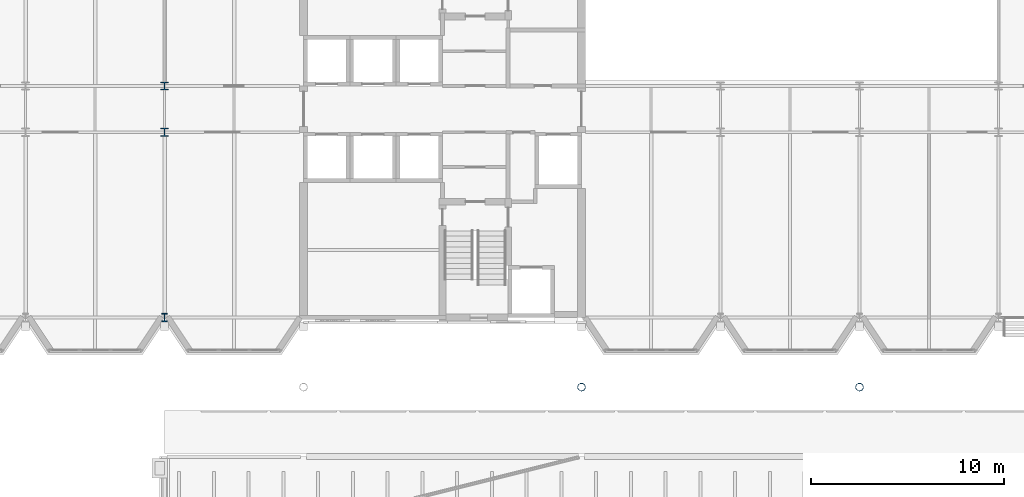
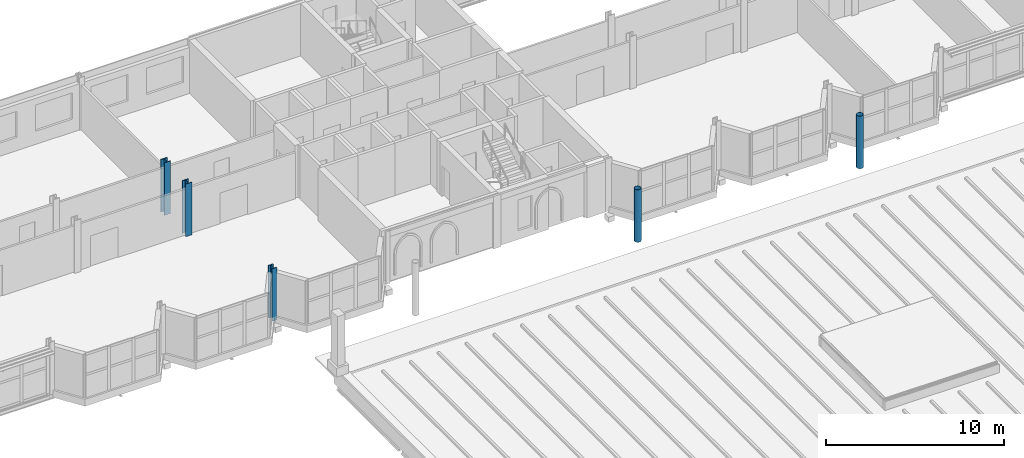
# One storey, part 7 of 120: 5 columns.
"""IFC4 building model written with IfcOpenShell, lengths in metres."""

from ifc_helpers import new_model, si_unit, direction, frame, origin, origin_2d, place, context, subcontext, project, spatial, hollow_circle, i_section, extrude, material, material_profile, profile_set, type_object, element, save


model = new_model("IFC4")

# Units and contexts
model_context = context("Model", 3, precision=1e-05, world=origin(), true_north=direction((0.0, 1.0)))
body_context = subcontext(model_context, "Body", "Model", "MODEL_VIEW")
ifc_project = project(units=[si_unit("LENGTHUNIT", "METRE"), si_unit("AREAUNIT", "SQUARE_METRE"), si_unit("VOLUMEUNIT", "CUBIC_METRE"), si_unit("PLANEANGLEUNIT", "RADIAN"), si_unit("MASSUNIT", "GRAM", prefix="KILO")], contexts=[model_context])

# Site, building, storey
site_placement = place(None, origin())
site = spatial("IfcSite", under=ifc_project, at=site_placement, CompositionType="ELEMENT")
building_placement = place(site_placement, origin())
building = spatial("IfcBuilding", under=site, at=building_placement, Name="Kupolbacken Congress Centre", CompositionType="ELEMENT")
storey_placement = place(building_placement, frame((0.0, 0.0, 21.60009765625)))
storey = spatial("IfcBuildingStorey", under=building, at=storey_placement, Name="L06", CompositionType="ELEMENT", Elevation=21.60009765625)

# Columns
ifc_material_1 = material(Name="Steel S355", Category="steel")
ifc_material_profile_1 = material_profile(ifc_material_1, i_section(OverallWidth=0.408935546875, OverallDepth=0.425048828125, WebThickness=0.03271484375, FlangeThickness=0.052490234375, FilletRadius=0.014892578125, at=origin_2d()), Name="HD 400 x 421")
ifc_profile_set_1 = profile_set([ifc_material_profile_1], Name="Steel S355")
column_type_1 = type_object("IfcColumnType", Name="C01 column HD 400 x 421", PredefinedType="COLUMN", material=ifc_profile_set_1)
for number, where, z_axis, x_axis, name in (
    (1, (86.39990234375, 132.0, 0.0), (0.0, 0.0, 1.0), (1.0, 0.0, 0.0), "S/col/C-T-13U+2400/L06"),
    (2, (86.39990234375, 134.39990234375, 0.0), (0.0, 0.0, 1.0), (1.0, 0.0, 0.0), "S/col/C-T-13U+4800/L06"),
):
    element("IfcColumn", number, at=place(storey_placement, frame(where, z_axis=z_axis, x_axis=x_axis)), inside=storey, type_object=column_type_1, Name=name, PredefinedType="COLUMN", context=body_context, shape_type="SweptSolid", body=[
        extrude(i_section(OverallWidth=0.408935546875, OverallDepth=0.425048828125, WebThickness=0.03271484375, FlangeThickness=0.052490234375, FilletRadius=0.014892578125, at=origin_2d()), origin(), (0.0, 0.0, 1.0), 3.599853515625),
    ])
ifc_material_2 = material(Name="Steel S355", Category="steel")
ifc_material_profile_2 = material_profile(ifc_material_2, i_section(OverallWidth=0.306884765625, OverallDepth=0.431884765625, WebThickness=0.02099609375, FlangeThickness=0.0400390625, FilletRadius=0.027099609375, at=origin_2d()), Name="HEM 400")
ifc_profile_set_2 = profile_set([ifc_material_profile_2], Name="Steel S355")
column_type_2 = type_object("IfcColumnType", Name="C02 column HEM 400", PredefinedType="COLUMN", material=ifc_profile_set_2)
column_placement = place(storey_placement, frame((86.39990234375, 122.39990234375, 0.0), z_axis=(0.0, 0.0, 1.0), x_axis=(1.0, 0.0, 0.0)))
element("IfcColumn", 3, at=column_placement, inside=storey, type_object=column_type_2, Name="S/col/C-T-13T/L06", PredefinedType="COLUMN", context=body_context, shape_type="SweptSolid", body=[
    extrude(i_section(OverallWidth=0.306884765625, OverallDepth=0.431884765625, WebThickness=0.02099609375, FlangeThickness=0.0400390625, FilletRadius=0.027099609375, at=origin_2d()), origin(), (0.0, 0.0, 1.0), 3.599853515625),
])
ifc_material_3 = material(Name="Steel S355", Category="steel")
ifc_material_profile_3 = material_profile(ifc_material_3, hollow_circle(Radius=0.203125, WallThickness=0.01611328125, at=origin_2d()), Name="CHS 406.4 x 16")
ifc_profile_set_3 = profile_set([ifc_material_profile_3], Name="Steel S355")
column_type_3 = type_object("IfcColumnType", Name="C15 roof mast CHS 406.4 x 16", PredefinedType="COLUMN", material=ifc_profile_set_3)
for number, where, z_axis, x_axis, name in (
    (4, (108.0, 118.800048828125, 0.0), (0.0, 0.0, 1.0), (1.0, 0.0, 0.0), "Roof mast M2N"),
    (5, (122.39990234375, 118.800048828125, 0.0), (0.0, 0.0, 1.0), (1.0, 0.0, 0.0), "Roof mast M3N"),
):
    element("IfcColumn", number, at=place(storey_placement, frame(where, z_axis=z_axis, x_axis=x_axis)), inside=storey, type_object=column_type_3, Name=name, PredefinedType="COLUMN", context=body_context, shape_type="SweptSolid", body=[
        extrude(hollow_circle(Radius=0.203125, WallThickness=0.01611328125, at=origin_2d()), origin(), (0.0, 0.0, 1.0), 3.599853515625),
    ])

save(model, "model.ifc")
